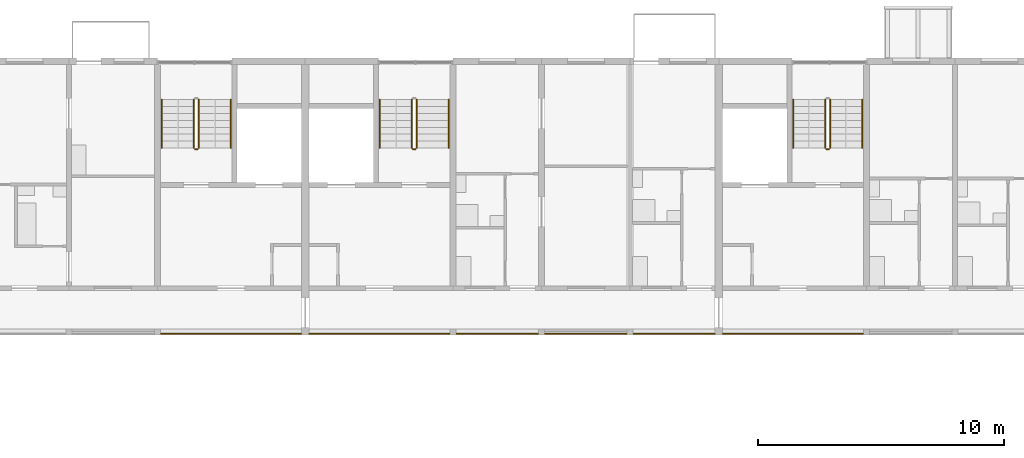
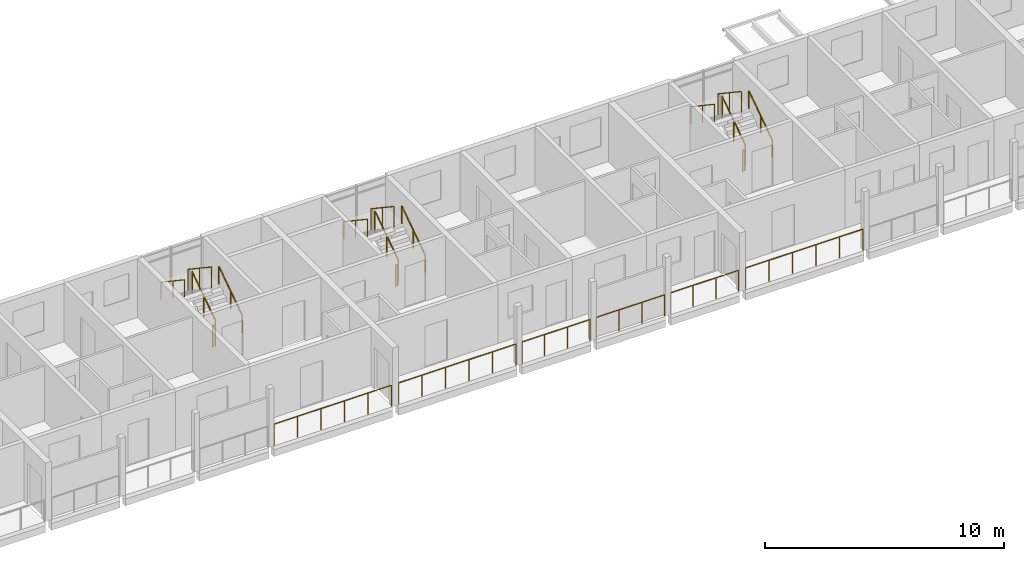
# One storey, part 90 of 100: 21 railings.
"""IFC4 building model written with IfcOpenShell, lengths in metres."""

from ifc_helpers import new_model, si_unit, direction, frame, origin, origin_2d, place, context, subcontext, project, spatial, circle, extrude, material, type_object, element, save


model = new_model("IFC4")

# Units and contexts
model_context = context("Model", 3, precision=1e-05, world=origin(), true_north=direction((0.0, 1.0)))
body_context = subcontext(model_context, "Body", "Model", "MODEL_VIEW")
ifc_project = project(units=[si_unit("LENGTHUNIT", "METRE"), si_unit("AREAUNIT", "SQUARE_METRE"), si_unit("VOLUMEUNIT", "CUBIC_METRE"), si_unit("PLANEANGLEUNIT", "RADIAN"), si_unit("MASSUNIT", "GRAM", prefix="KILO")], contexts=[model_context])

# Site, building, storey
site_placement = place(None, origin())
site = spatial("IfcSite", under=ifc_project, at=site_placement, CompositionType="ELEMENT")
building_placement = place(site_placement, origin())
building = spatial("IfcBuilding", under=site, at=building_placement, Name="Ridgestep Commons", CompositionType="ELEMENT")
storey_placement = place(building_placement, frame((0.0, 0.0, 9.0)))
storey = spatial("IfcBuildingStorey", under=building, at=storey_placement, Name="L03", CompositionType="ELEMENT", Elevation=9.0)

# Railings
ifc_material_1 = material(Name="Structural steel S355JR", Category="steel")
railing_type_1 = type_object("IfcRailingType", Name="Guard 1100", PredefinedType="GUARDRAIL", material=ifc_material_1)
railing_1_placement = place(storey_placement, frame((174.5458984375, 66.050048828125, 0.0)))
element("IfcRailing", 1, at=railing_1_placement, inside=storey, type_object=railing_type_1, Name="Gallery guard C 03.8", PredefinedType="GUARDRAIL", context=body_context, shape_type="SweptSolid", body=[
    extrude(circle(Radius=0.02392578125, at=origin_2d()), frame((0.0, 0.0, 1.076171875), z_axis=(1.0, 0.0, 0.0), x_axis=(0.0, 1.0, 0.0)), (0.0, 0.0, 1.0), 5.68310546875),
    extrude(circle(Radius=0.02099609375, at=origin_2d()), origin(), (0.0, 0.0, 1.0), 1.052001953125),
    extrude(circle(Radius=0.02099609375, at=origin_2d()), frame((1.13671875, 0.0, 0.0)), (0.0, 0.0, 1.0), 1.052001953125),
    extrude(circle(Radius=0.02099609375, at=origin_2d()), frame((2.273193359375, 0.0, 0.0)), (0.0, 0.0, 1.0), 1.052001953125),
    extrude(circle(Radius=0.02099609375, at=origin_2d()), frame((3.409912109375, 0.0, 0.0)), (0.0, 0.0, 1.0), 1.052001953125),
    extrude(circle(Radius=0.02099609375, at=origin_2d()), frame((4.54638671875, 0.0, 0.0)), (0.0, 0.0, 1.0), 1.052001953125),
    extrude(circle(Radius=0.02099609375, at=origin_2d()), frame((5.68310546875, 0.0, 0.0)), (0.0, 0.0, 1.0), 1.052001953125),
])
railing_2_placement = place(storey_placement, frame((180.571044921875, 66.050048828125, 0.0)))
element("IfcRailing", 2, at=railing_2_placement, inside=storey, type_object=railing_type_1, Name="Gallery guard C 03.9", PredefinedType="GUARDRAIL", context=body_context, shape_type="SweptSolid", body=[
    extrude(circle(Radius=0.02392578125, at=origin_2d()), frame((0.0, 0.0, 1.076171875), z_axis=(1.0, 0.0, 0.0), x_axis=(0.0, 1.0, 0.0)), (0.0, 0.0, 1.0), 5.682861328125),
    extrude(circle(Radius=0.02099609375, at=origin_2d()), origin(), (0.0, 0.0, 1.0), 1.052001953125),
    extrude(circle(Radius=0.02099609375, at=origin_2d()), frame((1.136474609375, 0.0, 0.0)), (0.0, 0.0, 1.0), 1.052001953125),
    extrude(circle(Radius=0.02099609375, at=origin_2d()), frame((2.273193359375, 0.0, 0.0)), (0.0, 0.0, 1.0), 1.052001953125),
    extrude(circle(Radius=0.02099609375, at=origin_2d()), frame((3.40966796875, 0.0, 0.0)), (0.0, 0.0, 1.0), 1.052001953125),
    extrude(circle(Radius=0.02099609375, at=origin_2d()), frame((4.54638671875, 0.0, 0.0)), (0.0, 0.0, 1.0), 1.052001953125),
    extrude(circle(Radius=0.02099609375, at=origin_2d()), frame((5.682861328125, 0.0, 0.0)), (0.0, 0.0, 1.0), 1.052001953125),
])
for number, where, name in (
    (3, (186.5458984375, 66.050048828125, 0.0), "Gallery guard C 03.10"),
    (4, (190.14599609375, 66.050048828125, 0.0), "Gallery guard C 03.11"),
):
    element("IfcRailing", number, at=place(storey_placement, frame(where)), inside=storey, type_object=railing_type_1, Name=name, PredefinedType="GUARDRAIL", context=body_context, shape_type="SweptSolid", body=[
        extrude(circle(Radius=0.02392578125, at=origin_2d()), frame((0.0, 0.0, 1.076171875), z_axis=(1.0, 0.0, 0.0), x_axis=(0.0, 1.0, 0.0)), (0.0, 0.0, 1.0), 3.30810546875),
        extrude(circle(Radius=0.02099609375, at=origin_2d()), origin(), (0.0, 0.0, 1.0), 1.052001953125),
        extrude(circle(Radius=0.02099609375, at=origin_2d()), frame((1.102783203125, 0.0, 0.0)), (0.0, 0.0, 1.0), 1.052001953125),
        extrude(circle(Radius=0.02099609375, at=origin_2d()), frame((2.205322265625, 0.0, 0.0)), (0.0, 0.0, 1.0), 1.052001953125),
        extrude(circle(Radius=0.02099609375, at=origin_2d()), frame((3.30810546875, 0.0, 0.0)), (0.0, 0.0, 1.0), 1.052001953125),
    ])
railing_3_placement = place(storey_placement, frame((193.74609375, 66.050048828125, 0.0)))
element("IfcRailing", 5, at=railing_3_placement, inside=storey, type_object=railing_type_1, Name="Gallery guard C 03.12", PredefinedType="GUARDRAIL", context=body_context, shape_type="SweptSolid", body=[
    extrude(circle(Radius=0.02392578125, at=origin_2d()), frame((0.0, 0.0, 1.076171875), z_axis=(1.0, 0.0, 0.0), x_axis=(0.0, 1.0, 0.0)), (0.0, 0.0, 1.0), 3.282958984375),
    extrude(circle(Radius=0.02099609375, at=origin_2d()), origin(), (0.0, 0.0, 1.0), 1.052001953125),
    extrude(circle(Radius=0.02099609375, at=origin_2d()), frame((1.09423828125, 0.0, 0.0)), (0.0, 0.0, 1.0), 1.052001953125),
    extrude(circle(Radius=0.02099609375, at=origin_2d()), frame((2.188720703125, 0.0, 0.0)), (0.0, 0.0, 1.0), 1.052001953125),
    extrude(circle(Radius=0.02099609375, at=origin_2d()), frame((3.282958984375, 0.0, 0.0)), (0.0, 0.0, 1.0), 1.052001953125),
])
railing_4_placement = place(storey_placement, frame((197.37109375, 66.050048828125, 0.0)))
element("IfcRailing", 6, at=railing_4_placement, inside=storey, type_object=railing_type_1, Name="Gallery guard C 03.13", PredefinedType="GUARDRAIL", context=body_context, shape_type="SweptSolid", body=[
    extrude(circle(Radius=0.02392578125, at=origin_2d()), frame((0.0, 0.0, 1.076171875), z_axis=(1.0, 0.0, 0.0), x_axis=(0.0, 1.0, 0.0)), (0.0, 0.0, 1.0), 5.682861328125),
    extrude(circle(Radius=0.02099609375, at=origin_2d()), origin(), (0.0, 0.0, 1.0), 1.052001953125),
    extrude(circle(Radius=0.02099609375, at=origin_2d()), frame((1.136474609375, 0.0, 0.0)), (0.0, 0.0, 1.0), 1.052001953125),
    extrude(circle(Radius=0.02099609375, at=origin_2d()), frame((2.273193359375, 0.0, 0.0)), (0.0, 0.0, 1.0), 1.052001953125),
    extrude(circle(Radius=0.02099609375, at=origin_2d()), frame((3.40966796875, 0.0, 0.0)), (0.0, 0.0, 1.0), 1.052001953125),
    extrude(circle(Radius=0.02099609375, at=origin_2d()), frame((4.54638671875, 0.0, 0.0)), (0.0, 0.0, 1.0), 1.052001953125),
    extrude(circle(Radius=0.02099609375, at=origin_2d()), frame((5.682861328125, 0.0, 0.0)), (0.0, 0.0, 1.0), 1.052001953125),
])
ifc_material_2 = material(Name="Structural steel S355JR", Category="steel")
railing_type_2 = type_object("IfcRailingType", Name="Stair guard 1100", PredefinedType="GUARDRAIL", material=ifc_material_2)
railing_5_placement = place(storey_placement, frame((176.074951171875, 73.60009765625, 0.1875)))
element("IfcRailing", 7, at=railing_5_placement, inside=storey, type_object=railing_type_2, Name="L03 C2C stair guard 1", PredefinedType="GUARDRAIL", context=body_context, shape_type="SweptSolid", body=[
    extrude(circle(Radius=0.02392578125, at=origin_2d()), frame((0.0, 0.0, 1.076171875), z_axis=(0.0, 0.830902050051, 0.556418712142), x_axis=(-1.0, 0.0, 0.0)), (0.0, 0.0, 1.0), 2.35888671875),
    extrude(circle(Radius=0.02099609375, at=origin_2d()), origin(), (0.0, 0.0, 1.0), 1.052001953125),
    extrude(circle(Radius=0.02099609375, at=origin_2d()), frame((0.0, 0.97998046875, 0.65625)), (0.0, 0.0, 1.0), 1.052001953125),
    extrude(circle(Radius=0.02099609375, at=origin_2d()), frame((0.0, 1.9599609375, 1.3125)), (0.0, 0.0, 1.0), 1.052001953125),
])
railing_6_placement = place(storey_placement, frame((175.875, 75.56005859375, 1.6875)))
element("IfcRailing", 8, at=railing_6_placement, inside=storey, type_object=railing_type_2, Name="L03 C2C stair guard 3", PredefinedType="GUARDRAIL", context=body_context, shape_type="SweptSolid", body=[
    extrude(circle(Radius=0.02392578125, at=origin_2d()), frame((0.0, 0.0, 1.076171875), z_axis=(0.0, -0.830902050051, 0.556418712142), x_axis=(1.0, 0.0, 0.0)), (0.0, 0.0, 1.0), 2.35888671875),
    extrude(circle(Radius=0.02099609375, at=origin_2d()), origin(), (0.0, 0.0, 1.0), 1.052001953125),
    extrude(circle(Radius=0.02099609375, at=origin_2d()), frame((0.0, -0.97998046875, 0.65625)), (0.0, 0.0, 1.0), 1.052001953125),
    extrude(circle(Radius=0.02099609375, at=origin_2d()), frame((0.0, -1.9599609375, 1.3125)), (0.0, 0.0, 1.0), 1.052001953125),
])
railing_7_placement = place(storey_placement, frame((176.02490234375, 73.550048828125, 0.0)))
element("IfcRailing", 9, at=railing_7_placement, inside=storey, type_object=railing_type_2, Name="L03 C2C stair guard 4", PredefinedType="GUARDRAIL", context=body_context, shape_type="SweptSolid", body=[
    extrude(circle(Radius=0.02392578125, at=origin_2d()), frame((0.0, 0.0, 1.076171875), z_axis=(-1.0, 0.0, 0.0), x_axis=(0.0, -1.0, 0.0)), (0.0, 0.0, 1.0), 0.099853515625),
    extrude(circle(Radius=0.02099609375, at=origin_2d()), origin(), (0.0, 0.0, 1.0), 1.052001953125),
    extrude(circle(Radius=0.02099609375, at=origin_2d()), frame((-0.099853515625, 0.0, 0.0)), (0.0, 0.0, 1.0), 1.052001953125),
])
railing_8_placement = place(storey_placement, frame((184.925048828125, 73.60009765625, 0.1875)))
element("IfcRailing", 10, at=railing_8_placement, inside=storey, type_object=railing_type_2, Name="L03 C3C stair guard 1", PredefinedType="GUARDRAIL", context=body_context, shape_type="SweptSolid", body=[
    extrude(circle(Radius=0.02392578125, at=origin_2d()), frame((0.0, 0.0, 1.076171875), z_axis=(0.0, 0.830902050051, 0.556418712142), x_axis=(-1.0, 0.0, 0.0)), (0.0, 0.0, 1.0), 2.35888671875),
    extrude(circle(Radius=0.02099609375, at=origin_2d()), origin(), (0.0, 0.0, 1.0), 1.052001953125),
    extrude(circle(Radius=0.02099609375, at=origin_2d()), frame((0.0, 0.97998046875, 0.65625)), (0.0, 0.0, 1.0), 1.052001953125),
    extrude(circle(Radius=0.02099609375, at=origin_2d()), frame((0.0, 1.9599609375, 1.3125)), (0.0, 0.0, 1.0), 1.052001953125),
])
railing_9_placement = place(storey_placement, frame((184.72509765625, 75.56005859375, 1.6875)))
element("IfcRailing", 11, at=railing_9_placement, inside=storey, type_object=railing_type_2, Name="L03 C3C stair guard 3", PredefinedType="GUARDRAIL", context=body_context, shape_type="SweptSolid", body=[
    extrude(circle(Radius=0.02392578125, at=origin_2d()), frame((0.0, 0.0, 1.076171875), z_axis=(0.0, -0.830902050051, 0.556418712142), x_axis=(1.0, 0.0, 0.0)), (0.0, 0.0, 1.0), 2.35888671875),
    extrude(circle(Radius=0.02099609375, at=origin_2d()), origin(), (0.0, 0.0, 1.0), 1.052001953125),
    extrude(circle(Radius=0.02099609375, at=origin_2d()), frame((0.0, -0.97998046875, 0.65625)), (0.0, 0.0, 1.0), 1.052001953125),
    extrude(circle(Radius=0.02099609375, at=origin_2d()), frame((0.0, -1.9599609375, 1.3125)), (0.0, 0.0, 1.0), 1.052001953125),
])
railing_10_placement = place(storey_placement, frame((184.875, 73.550048828125, 0.0)))
element("IfcRailing", 12, at=railing_10_placement, inside=storey, type_object=railing_type_2, Name="L03 C3C stair guard 4", PredefinedType="GUARDRAIL", context=body_context, shape_type="SweptSolid", body=[
    extrude(circle(Radius=0.02392578125, at=origin_2d()), frame((0.0, 0.0, 1.076171875), z_axis=(-1.0, 0.0, 0.0), x_axis=(0.0, -1.0, 0.0)), (0.0, 0.0, 1.0), 0.10009765625),
    extrude(circle(Radius=0.02099609375, at=origin_2d()), origin(), (0.0, 0.0, 1.0), 1.052001953125),
    extrude(circle(Radius=0.02099609375, at=origin_2d()), frame((-0.10009765625, 0.0, 0.0)), (0.0, 0.0, 1.0), 1.052001953125),
])
railing_11_placement = place(storey_placement, frame((201.72509765625, 73.60009765625, 0.1875)))
element("IfcRailing", 13, at=railing_11_placement, inside=storey, type_object=railing_type_2, Name="L03 C4C stair guard 1", PredefinedType="GUARDRAIL", context=body_context, shape_type="SweptSolid", body=[
    extrude(circle(Radius=0.02392578125, at=origin_2d()), frame((0.0, 0.0, 1.076171875), z_axis=(0.0, 0.830902050051, 0.556418712142), x_axis=(-1.0, 0.0, 0.0)), (0.0, 0.0, 1.0), 2.35888671875),
    extrude(circle(Radius=0.02099609375, at=origin_2d()), origin(), (0.0, 0.0, 1.0), 1.052001953125),
    extrude(circle(Radius=0.02099609375, at=origin_2d()), frame((0.0, 0.97998046875, 0.65625)), (0.0, 0.0, 1.0), 1.052001953125),
    extrude(circle(Radius=0.02099609375, at=origin_2d()), frame((0.0, 1.9599609375, 1.3125)), (0.0, 0.0, 1.0), 1.052001953125),
])
railing_12_placement = place(storey_placement, frame((201.52490234375, 75.56005859375, 1.6875)))
element("IfcRailing", 14, at=railing_12_placement, inside=storey, type_object=railing_type_2, Name="L03 C4C stair guard 3", PredefinedType="GUARDRAIL", context=body_context, shape_type="SweptSolid", body=[
    extrude(circle(Radius=0.02392578125, at=origin_2d()), frame((0.0, 0.0, 1.076171875), z_axis=(0.0, -0.830902050051, 0.556418712142), x_axis=(1.0, 0.0, 0.0)), (0.0, 0.0, 1.0), 2.35888671875),
    extrude(circle(Radius=0.02099609375, at=origin_2d()), origin(), (0.0, 0.0, 1.0), 1.052001953125),
    extrude(circle(Radius=0.02099609375, at=origin_2d()), frame((0.0, -0.97998046875, 0.65625)), (0.0, 0.0, 1.0), 1.052001953125),
    extrude(circle(Radius=0.02099609375, at=origin_2d()), frame((0.0, -1.9599609375, 1.3125)), (0.0, 0.0, 1.0), 1.052001953125),
])
railing_13_placement = place(storey_placement, frame((201.675048828125, 73.550048828125, 0.0)))
element("IfcRailing", 15, at=railing_13_placement, inside=storey, type_object=railing_type_2, Name="L03 C4C stair guard 4", PredefinedType="GUARDRAIL", context=body_context, shape_type="SweptSolid", body=[
    extrude(circle(Radius=0.02392578125, at=origin_2d()), frame((0.0, 0.0, 1.076171875), z_axis=(-1.0, 0.0, 0.0), x_axis=(0.0, -1.0, 0.0)), (0.0, 0.0, 1.0), 0.10009765625),
    extrude(circle(Radius=0.02099609375, at=origin_2d()), origin(), (0.0, 0.0, 1.0), 1.052001953125),
    extrude(circle(Radius=0.02099609375, at=origin_2d()), frame((-0.10009765625, 0.0, 0.0)), (0.0, 0.0, 1.0), 1.052001953125),
])
ifc_material_3 = material(Name="Structural steel S355JR", Category="steel")
railing_type_3 = type_object("IfcRailingType", Name="Stair handrail 900", PredefinedType="HANDRAIL", material=ifc_material_3)
railing_14_placement = place(storey_placement, frame((177.375, 73.60009765625, 0.1875)))
element("IfcRailing", 16, at=railing_14_placement, inside=storey, type_object=railing_type_3, Name="L03 C2C stair handrail 1", PredefinedType="HANDRAIL", context=body_context, shape_type="SweptSolid", body=[
    extrude(circle(Radius=0.02392578125, at=origin_2d()), frame((0.0, 0.0, 0.8759765625), z_axis=(0.0, 0.830902050051, 0.556418712142), x_axis=(-1.0, 0.0, 0.0)), (0.0, 0.0, 1.0), 2.35888671875),
    extrude(circle(Radius=0.02099609375, at=origin_2d()), origin(), (0.0, 0.0, 1.0), 0.851806640625),
    extrude(circle(Radius=0.02099609375, at=origin_2d()), frame((0.0, 0.97998046875, 0.65625)), (0.0, 0.0, 1.0), 0.851806640625),
    extrude(circle(Radius=0.02099609375, at=origin_2d()), frame((0.0, 1.9599609375, 1.3125)), (0.0, 0.0, 1.0), 0.851806640625),
])
railing_15_placement = place(storey_placement, frame((174.574951171875, 75.56005859375, 1.6875)))
element("IfcRailing", 17, at=railing_15_placement, inside=storey, type_object=railing_type_3, Name="L03 C2C stair handrail 2", PredefinedType="HANDRAIL", context=body_context, shape_type="SweptSolid", body=[
    extrude(circle(Radius=0.02392578125, at=origin_2d()), frame((0.0, 0.0, 0.8759765625), z_axis=(0.0, -0.830902050051, 0.556418712142), x_axis=(1.0, 0.0, 0.0)), (0.0, 0.0, 1.0), 2.35888671875),
    extrude(circle(Radius=0.02099609375, at=origin_2d()), origin(), (0.0, 0.0, 1.0), 0.851806640625),
    extrude(circle(Radius=0.02099609375, at=origin_2d()), frame((0.0, -0.97998046875, 0.65625)), (0.0, 0.0, 1.0), 0.851806640625),
    extrude(circle(Radius=0.02099609375, at=origin_2d()), frame((0.0, -1.9599609375, 1.3125)), (0.0, 0.0, 1.0), 0.851806640625),
])
railing_16_placement = place(storey_placement, frame((186.22509765625, 73.60009765625, 0.1875)))
element("IfcRailing", 18, at=railing_16_placement, inside=storey, type_object=railing_type_3, Name="L03 C3C stair handrail 1", PredefinedType="HANDRAIL", context=body_context, shape_type="SweptSolid", body=[
    extrude(circle(Radius=0.02392578125, at=origin_2d()), frame((0.0, 0.0, 0.8759765625), z_axis=(0.0, 0.830902050051, 0.556418712142), x_axis=(-1.0, 0.0, 0.0)), (0.0, 0.0, 1.0), 2.35888671875),
    extrude(circle(Radius=0.02099609375, at=origin_2d()), origin(), (0.0, 0.0, 1.0), 0.851806640625),
    extrude(circle(Radius=0.02099609375, at=origin_2d()), frame((0.0, 0.97998046875, 0.65625)), (0.0, 0.0, 1.0), 0.851806640625),
    extrude(circle(Radius=0.02099609375, at=origin_2d()), frame((0.0, 1.9599609375, 1.3125)), (0.0, 0.0, 1.0), 0.851806640625),
])
railing_17_placement = place(storey_placement, frame((183.425048828125, 75.56005859375, 1.6875)))
element("IfcRailing", 19, at=railing_17_placement, inside=storey, type_object=railing_type_3, Name="L03 C3C stair handrail 2", PredefinedType="HANDRAIL", context=body_context, shape_type="SweptSolid", body=[
    extrude(circle(Radius=0.02392578125, at=origin_2d()), frame((0.0, 0.0, 0.8759765625), z_axis=(0.0, -0.830902050051, 0.556418712142), x_axis=(1.0, 0.0, 0.0)), (0.0, 0.0, 1.0), 2.35888671875),
    extrude(circle(Radius=0.02099609375, at=origin_2d()), origin(), (0.0, 0.0, 1.0), 0.851806640625),
    extrude(circle(Radius=0.02099609375, at=origin_2d()), frame((0.0, -0.97998046875, 0.65625)), (0.0, 0.0, 1.0), 0.851806640625),
    extrude(circle(Radius=0.02099609375, at=origin_2d()), frame((0.0, -1.9599609375, 1.3125)), (0.0, 0.0, 1.0), 0.851806640625),
])
railing_18_placement = place(storey_placement, frame((203.02490234375, 73.60009765625, 0.1875)))
element("IfcRailing", 20, at=railing_18_placement, inside=storey, type_object=railing_type_3, Name="L03 C4C stair handrail 1", PredefinedType="HANDRAIL", context=body_context, shape_type="SweptSolid", body=[
    extrude(circle(Radius=0.02392578125, at=origin_2d()), frame((0.0, 0.0, 0.8759765625), z_axis=(0.0, 0.830902050051, 0.556418712142), x_axis=(-1.0, 0.0, 0.0)), (0.0, 0.0, 1.0), 2.35888671875),
    extrude(circle(Radius=0.02099609375, at=origin_2d()), origin(), (0.0, 0.0, 1.0), 0.851806640625),
    extrude(circle(Radius=0.02099609375, at=origin_2d()), frame((0.0, 0.97998046875, 0.65625)), (0.0, 0.0, 1.0), 0.851806640625),
    extrude(circle(Radius=0.02099609375, at=origin_2d()), frame((0.0, 1.9599609375, 1.3125)), (0.0, 0.0, 1.0), 0.851806640625),
])
railing_19_placement = place(storey_placement, frame((200.22509765625, 75.56005859375, 1.6875)))
element("IfcRailing", 21, at=railing_19_placement, inside=storey, type_object=railing_type_3, Name="L03 C4C stair handrail 2", PredefinedType="HANDRAIL", context=body_context, shape_type="SweptSolid", body=[
    extrude(circle(Radius=0.02392578125, at=origin_2d()), frame((0.0, 0.0, 0.8759765625), z_axis=(0.0, -0.830902050051, 0.556418712142), x_axis=(1.0, 0.0, 0.0)), (0.0, 0.0, 1.0), 2.35888671875),
    extrude(circle(Radius=0.02099609375, at=origin_2d()), origin(), (0.0, 0.0, 1.0), 0.851806640625),
    extrude(circle(Radius=0.02099609375, at=origin_2d()), frame((0.0, -0.97998046875, 0.65625)), (0.0, 0.0, 1.0), 0.851806640625),
    extrude(circle(Radius=0.02099609375, at=origin_2d()), frame((0.0, -1.9599609375, 1.3125)), (0.0, 0.0, 1.0), 0.851806640625),
])

save(model, "model.ifc")
